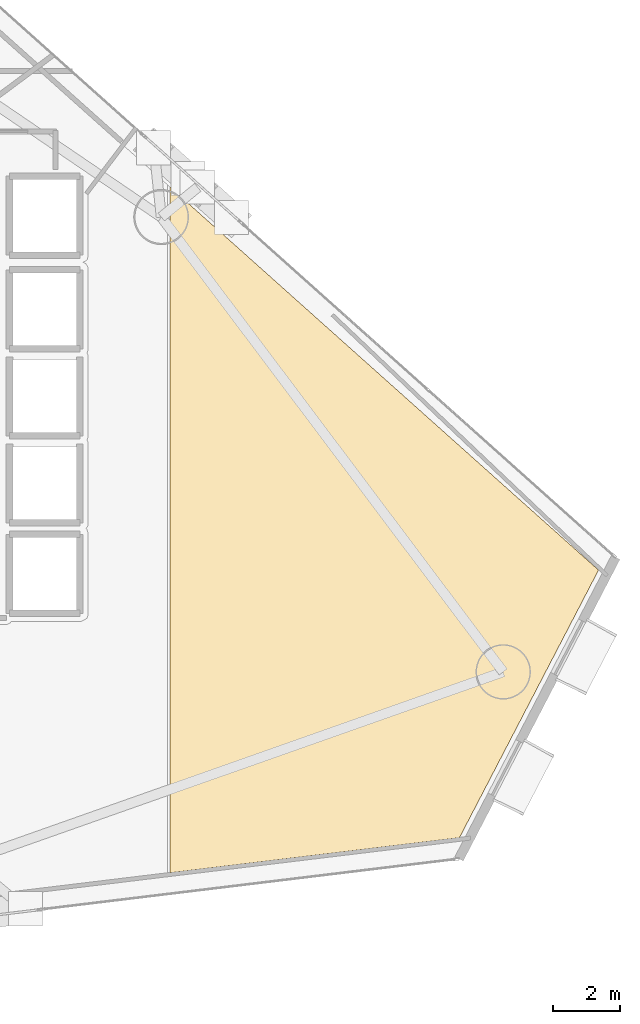
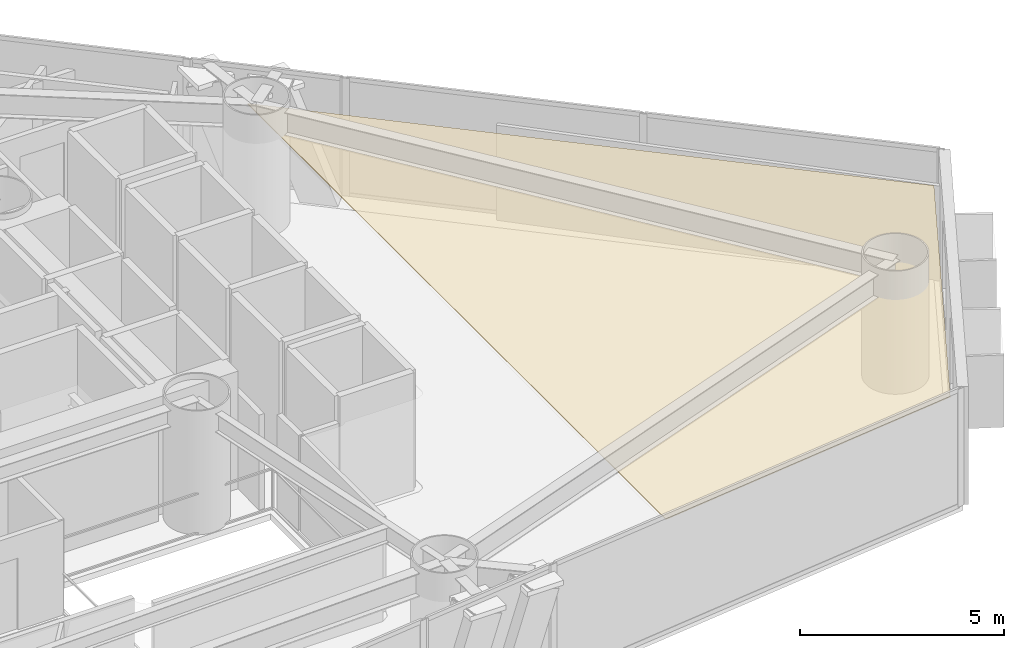
# One storey, part 24 of 24: 1 covering.
"""IFC4 building model written with IfcOpenShell, lengths in metres."""

from ifc_helpers import new_model, si_unit, direction, frame, origin, place, context, subcontext, project, spatial, polyline, outline, extrude, material, layer, layer_set, type_object, element, save


model = new_model("IFC4")

# Units and contexts
model_context = context("Model", 3, precision=1e-05, world=origin(), true_north=direction((0.0, 1.0)))
body_context = subcontext(model_context, "Body", "Model", "MODEL_VIEW")
ifc_project = project(units=[si_unit("LENGTHUNIT", "METRE"), si_unit("AREAUNIT", "SQUARE_METRE"), si_unit("VOLUMEUNIT", "CUBIC_METRE"), si_unit("PLANEANGLEUNIT", "RADIAN"), si_unit("MASSUNIT", "GRAM", prefix="KILO")], contexts=[model_context])

# Site, building, storey
site_placement = place(None, origin())
site = spatial("IfcSite", under=ifc_project, at=site_placement, CompositionType="ELEMENT")
building_placement = place(site_placement, origin())
building = spatial("IfcBuilding", under=site, at=building_placement, Name="Qianvela Tower", CompositionType="ELEMENT")
storey_placement = place(building_placement, frame((0.0, 0.0, 71.0)))
storey = spatial("IfcBuildingStorey", under=building, at=storey_placement, Name="L17", CompositionType="ELEMENT", Elevation=71.0)

# Covering
ifc_material = material(Name="Perforated Mineral Acoustic Ceiling Tile")
ifc_layer = layer(ifc_material, 0.02490234375)
ifc_layer_set = layer_set([ifc_layer], Name="Perforated Mineral Acoustic Ceiling Tile")
covering_type = type_object("IfcCoveringType", Name="COV-CEIL-ACOUSTIC-25", PredefinedType="CEILING", material=ifc_layer_set)
covering_placement = place(storey_placement, frame((0.0, 0.0, 2.81494140625)))
element("IfcCovering", 1, at=covering_placement, inside=storey, type_object=covering_type, Name="L17 Acoustic Ceiling Bay 2 Tutorial Breakout Seminar L17-02", PredefinedType="CEILING", context=body_context, shape_type="SweptSolid", body=[
    extrude(outline(polyline([(59.046875, 23.509033203125), (54.8916015625, 15.514404296875), (46.24560546875, 14.466064453125), (46.24560546875, 34.9521484375), (59.046875, 23.509033203125)])), origin(), (0.0, 0.0, 1.0), 0.025146484375),
])

save(model, "model.ifc")
